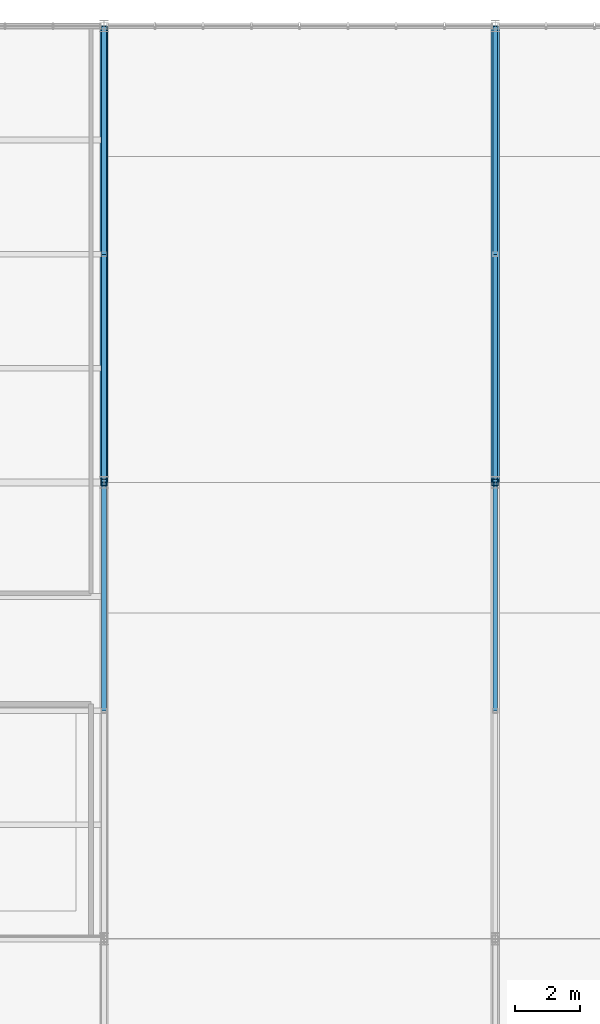
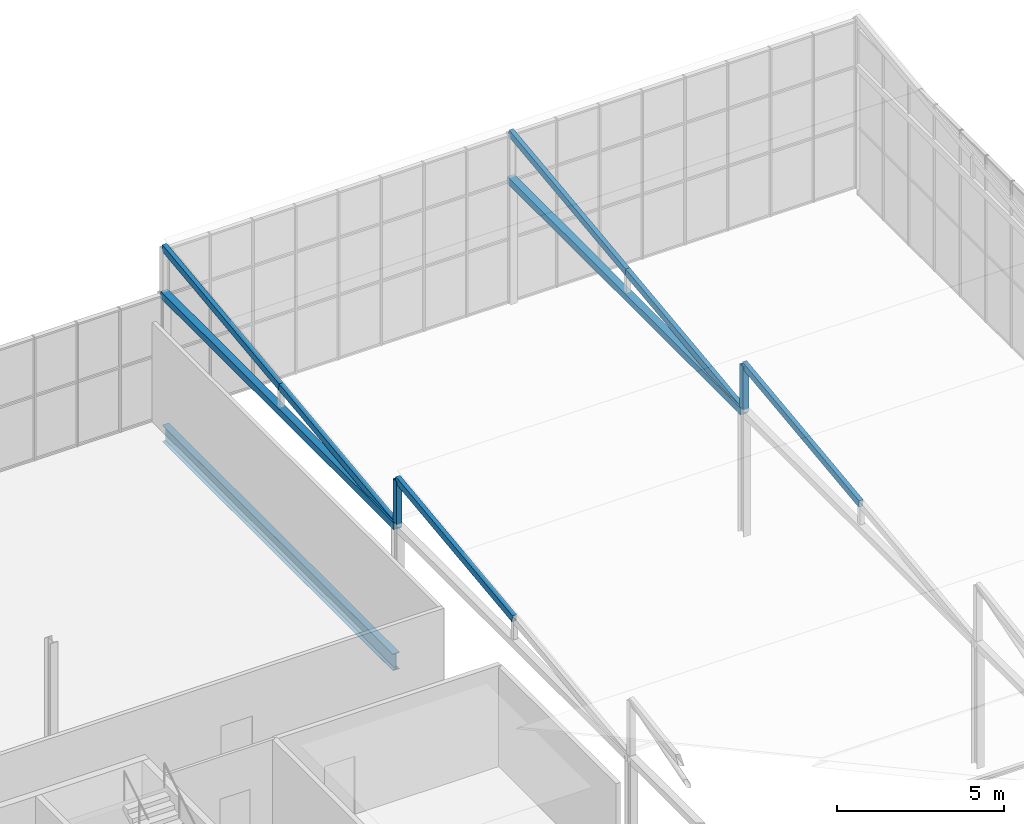
# One storey, part 71 of 104: 10 members, 1 beam.
"""IFC4 building model written with IfcOpenShell, lengths in metres."""

import ifcopenshell
import ifcopenshell.guid

model = None  # the IFC model being written
_history = None  # IfcOwnerHistory: only IFC2X3 demands one
_inside = {}  # id of a spatial element -> (the spatial element, [elements in it])
_under = {}  # id of a project, library or spatial element -> (it, [spatial elements below it])
_declared = {}  # id of a project -> (the project, [libraries it declares])
_typed = {}  # id of a type object -> (the type object, [elements of that type])
_made_of = {}  # id of a material, layer set ... -> (it, [elements and type objects made of it])


def new_model(schema):
    """Start an empty IFC model of exactly this schema.

    Asked for "IFC4X3", IfcOpenShell would pick the latest addendum, in which some entities
    have other attributes; the version numbers below select the first issue.
    IFC2X3 requires an IfcOwnerHistory on every rooted entity: one is made here for all.
    """
    global model, _history
    if schema == "IFC4X3":
        model = ifcopenshell.file(schema_version=(4, 3, 0, 0))
    else:
        model = ifcopenshell.file(schema=schema)
    _inside.clear()
    _under.clear()
    _declared.clear()
    _typed.clear()
    _made_of.clear()
    _history = None
    if model.schema == "IFC2X3":
        org = make("IfcOrganization", Name="unknown")
        user = make(
            "IfcPersonAndOrganization",
            ThePerson=make("IfcPerson", FamilyName="unknown"),
            TheOrganization=org,
        )
        app = make(
            "IfcApplication",
            ApplicationDeveloper=org,
            Version="unknown",
            ApplicationFullName="unknown",
            ApplicationIdentifier="unknown",
        )
        _history = make(
            "IfcOwnerHistory",
            OwningUser=user,
            OwningApplication=app,
            ChangeAction="ADDED",
            CreationDate=0,
        )
    return model


def make(cls, **values):
    """One entity of the class cls with the attributes given. An attribute that is None is left unset."""
    return model.create_entity(
        cls, **{name: value for name, value in values.items() if value is not None}
    )


def rooted(cls, **values):
    """An entity with a GlobalId (a new one), such as an element, a storey or a relation."""
    return make(cls, GlobalId=ifcopenshell.guid.new(), OwnerHistory=_history, **values)


def si_unit(unit_type, name, prefix=None):
    """IfcSIUnit, for example si_unit("LENGTHUNIT", "METRE", prefix="MILLI")."""
    return make("IfcSIUnit", UnitType=unit_type, Prefix=prefix, Name=name)


def assignment(units):
    """IfcUnitAssignment: the units of a project."""
    return None if units is None else make("IfcUnitAssignment", Units=units)


def point(xyz):
    """IfcCartesianPoint."""
    return None if xyz is None else make("IfcCartesianPoint", Coordinates=xyz)


def direction(xyz):
    """IfcDirection."""
    return None if xyz is None else make("IfcDirection", DirectionRatios=xyz)


def frame(location, z_axis=None, x_axis=None):
    """IfcAxis2Placement3D, a coordinate frame: its origin and axes. An axis left out is left unset."""
    return make(
        "IfcAxis2Placement3D",
        Location=point(location),
        Axis=direction(z_axis),
        RefDirection=direction(x_axis),
    )


def frame_2d(location, x_axis=None):
    """IfcAxis2Placement2D, a coordinate frame in the plane: its origin and x axis."""
    return make(
        "IfcAxis2Placement2D", Location=point(location), RefDirection=direction(x_axis)
    )


def origin():
    """The frame at (0, 0, 0) with its axes left unset."""
    return frame((0.0, 0.0, 0.0))


def origin_2d():
    """The frame at (0, 0) in the plane with its x axis left unset."""
    return frame_2d((0.0, 0.0))


def place(relative_to, where):
    """IfcLocalPlacement: puts the frame where relative to a parent placement (None: the world)."""
    return make(
        "IfcLocalPlacement", PlacementRelTo=relative_to, RelativePlacement=where
    )


def context(
    kind, dimensions, precision=None, world=None, true_north=None, identifier=None
):
    """IfcGeometricRepresentationContext, for example the 3D "Model" context."""
    return make(
        "IfcGeometricRepresentationContext",
        ContextIdentifier=identifier,
        ContextType=kind,
        CoordinateSpaceDimension=dimensions,
        Precision=precision,
        WorldCoordinateSystem=world,
        TrueNorth=true_north,
    )


def subcontext(parent, identifier, kind, view, scale=None):
    """IfcGeometricRepresentationSubContext, for example "Body" below "Model"."""
    return make(
        "IfcGeometricRepresentationSubContext",
        ContextIdentifier=identifier,
        ContextType=kind,
        ParentContext=parent,
        TargetScale=scale,
        TargetView=view,
    )


def project(units=None, contexts=None):
    """IfcProject with its units and contexts."""
    return rooted(
        "IfcProject",
        Name="project",
        RepresentationContexts=contexts,
        UnitsInContext=assignment(units),
    )


def spatial(cls, under=None, at=None, **own):
    """A site, building, storey or space (cls), placed at a placement, below another one or the project."""
    s = rooted(cls, ObjectPlacement=at, **own)
    if under is not None:
        _under.setdefault(under.id(), (under, []))[1].append(s)
    return s


def profile(cls, at=None, kind="AREA", **sizes):
    """A parametric profile (cls). Its sizes go by their IFC names, for example OverallWidth=200.0."""
    return make(cls, ProfileType=kind, Position=at, **sizes)


def hollow_rectangle(**sizes):
    """IfcRectangleHollowProfileDef."""
    return profile("IfcRectangleHollowProfileDef", **sizes)


def i_section(**sizes):
    """IfcIShapeProfileDef."""
    return profile("IfcIShapeProfileDef", **sizes)


def extrude(swept, where, along, depth):
    """IfcExtrudedAreaSolid: the profile swept, set in the frame where, extruded along a direction by depth."""
    return make(
        "IfcExtrudedAreaSolid",
        SweptArea=swept,
        Position=where,
        ExtrudedDirection=direction(along),
        Depth=depth,
    )


def shape(context_of_items, identifier, shape_type, items):
    """IfcShapeRepresentation: the items that make up one representation, for example the "Body"."""
    return make(
        "IfcShapeRepresentation",
        ContextOfItems=context_of_items,
        RepresentationIdentifier=identifier,
        RepresentationType=shape_type,
        Items=items,
    )


def material(Name=None, Category=None):
    """IfcMaterial."""
    return make("IfcMaterial", Name=Name, Category=Category)


def material_profile(
    of_material, cross_section, Name=None, Category=None, Priority=None
):
    """IfcMaterialProfile: a cross section and its material."""
    return make(
        "IfcMaterialProfile",
        Name=Name,
        Material=of_material,
        Profile=cross_section,
        Priority=Priority,
        Category=Category,
    )


def profile_set(profiles, Name=None, composite=None):
    """IfcMaterialProfileSet."""
    return make(
        "IfcMaterialProfileSet",
        Name=Name,
        MaterialProfiles=profiles,
        CompositeProfile=composite,
    )


def made_of(thing, what):
    """Note that an element or type object is made of a material, layer set ...; save() writes the relation."""
    if what is not None:
        _made_of.setdefault(what.id(), (what, []))[1].append(thing)
    return thing


def type_object(cls, material=None, **own):
    """A type object (cls), such as IfcWallType, which elements share."""
    return made_of(rooted(cls, **own), material)


def element(
    cls,
    number,
    at=None,
    inside=None,
    cuts=None,
    type_object=None,
    material=None,
    context=None,
    identifier="Body",
    shape_type=None,
    held_by="IfcProductDefinitionShape",
    body=None,
    shapes=None,
    **own,
):
    """One element of the class cls, such as IfcWall. Its Tag is "e" and its number.

    at: its placement. inside: the storey or other place that contains it. cuts: it is an
    opening in that element (IfcRelVoidsElement). A single representation is given by context,
    identifier, shape_type and body (its items); several are given by shapes. held_by: the class
    of the entity that holds the representations. save() writes the other relations.
    """
    e = rooted(cls, Tag="e%d" % number, ObjectPlacement=at, **own)
    if body is not None:
        shapes = [shape(context, identifier, shape_type, body)]
    if shapes is not None:
        e.Representation = make(held_by, Representations=shapes)
    if inside is not None:
        _inside.setdefault(inside.id(), (inside, []))[1].append(e)
    if cuts is not None:
        rooted(
            "IfcRelVoidsElement", RelatingBuildingElement=cuts, RelatedOpeningElement=e
        )
    if type_object is not None:
        _typed.setdefault(type_object.id(), (type_object, []))[1].append(e)
    return made_of(e, material)


def aggregate(whole, parts):
    """IfcRelAggregates: a whole, such as a stair, and the parts it consists of."""
    return rooted("IfcRelAggregates", RelatingObject=whole, RelatedObjects=parts)


def save(model, path):
    """Write the relations noted so far, then the file.

    IfcRelAggregates (storeys below a building ...), IfcRelContainedInSpatialStructure (elements
    in a storey), IfcRelDefinesByType, IfcRelAssociatesMaterial and IfcRelDeclares: one each for
    every whole, place, type object, material and project.
    """
    for whole, parts in _under.values():
        aggregate(whole, parts)
    for where, things in _inside.values():
        rooted(
            "IfcRelContainedInSpatialStructure",
            RelatedElements=things,
            RelatingStructure=where,
        )
    for kind, things in _typed.values():
        rooted("IfcRelDefinesByType", RelatedObjects=things, RelatingType=kind)
    for what, things in _made_of.values():
        rooted("IfcRelAssociatesMaterial", RelatedObjects=things, RelatingMaterial=what)
    for by, libraries in _declared.values():
        rooted("IfcRelDeclares", RelatingContext=by, RelatedDefinitions=libraries)
    model.write(path)


model = new_model("IFC4")

# Units and contexts
model_context = context("Model", 3, precision=1e-05, world=origin(), true_north=direction((0.0, 1.0)))
body_context = subcontext(model_context, "Body", "Model", "MODEL_VIEW")
ifc_project = project(units=[si_unit("LENGTHUNIT", "METRE"), si_unit("AREAUNIT", "SQUARE_METRE"), si_unit("VOLUMEUNIT", "CUBIC_METRE"), si_unit("PLANEANGLEUNIT", "RADIAN"), si_unit("MASSUNIT", "GRAM", prefix="KILO")], contexts=[model_context])

# Site, building, storey
site_placement = place(None, origin())
site = spatial("IfcSite", under=ifc_project, at=site_placement, CompositionType="ELEMENT")
building_placement = place(site_placement, origin())
building = spatial("IfcBuilding", under=site, at=building_placement, Name="Solvenia Promenade Tram Depot", CompositionType="ELEMENT")
storey_placement = place(building_placement, frame((0.0, 0.0, 9.0)))
storey = spatial("IfcBuildingStorey", under=building, at=storey_placement, Name="L02", CompositionType="ELEMENT", Elevation=9.0)

# Members
ifc_material_1 = material(Name="Structural steel ASTM A500 Gr. C", Category="steel")
ifc_material_profile_1 = material_profile(ifc_material_1, hollow_rectangle(XDim=0.14990234375, YDim=0.25, WallThickness=0.010009765625, at=origin_2d()), Name="HSS250x150x10", Category="steel")
ifc_profile_set_1 = profile_set([ifc_material_profile_1], Name="Structural steel ASTM A500 Gr. C")
member_type_1 = type_object("IfcMemberType", Name="Chord-HSS250x150x10", PredefinedType="CHORD", material=ifc_profile_set_1)
for number, where, z_axis, x_axis, name in (
    (1, (162.0, 45.0, 5.330078125), (0.0, 0.992710577163, 0.120522653429), (-1.0, 0.0, 0.0), "Workshop Sawtooth Rafter 1-08N"),
    (2, (162.0, 52.0, 4.47998046875), (0.0, 0.992706434156, 0.120556773289), (-1.0, 0.0, 0.0), "Workshop Sawtooth Rafter 2-08S"),
    (3, (162.0, 59.0, 5.330078125), (0.0, 0.992710577163, 0.120522653429), (-1.0, 0.0, 0.0), "Workshop Sawtooth Rafter 2-08N"),
    (4, (174.0, 45.0, 5.330078125), (0.0, 0.992710577163, 0.120522653429), (-1.0, 0.0, 0.0), "Workshop Sawtooth Rafter 1-09N"),
    (5, (174.0, 52.0, 4.47998046875), (0.0, 0.992706434156, 0.120556773289), (-1.0, 0.0, 0.0), "Workshop Sawtooth Rafter 2-09S"),
    (6, (174.0, 59.0, 5.330078125), (0.0, 0.992710577163, 0.120522653429), (-1.0, 0.0, 0.0), "Workshop Sawtooth Rafter 2-09N"),
):
    element("IfcMember", number, at=place(storey_placement, frame(where, z_axis=z_axis, x_axis=x_axis)), inside=storey, type_object=member_type_1, Name=name, PredefinedType="CHORD", context=body_context, shape_type="SweptSolid", body=[
        extrude(hollow_rectangle(XDim=0.14990234375, YDim=0.25, WallThickness=0.010009765625, at=origin_2d()), origin(), (0.0, 0.0, 1.0), 7.051513671875),
    ])
ifc_material_profile_2 = material_profile(ifc_material_1, hollow_rectangle(XDim=0.25, YDim=0.25, WallThickness=0.010009765625, at=origin_2d()), Name="HSS250x250x10", Category="steel")
ifc_profile_set_2 = profile_set([ifc_material_profile_2], Name="Structural steel ASTM A500 Gr. C")
member_type_2 = type_object("IfcMemberType", Name="Chord-HSS250x250x10", PredefinedType="CHORD", material=ifc_profile_set_2)
for number, where, z_axis, x_axis, name in (
    (7, (162.0, 52.0, 4.47998046875), (0.0, 1.0, 0.0), (-1.0, 0.0, 0.0), "Workshop Sawtooth Bottom Tie 2-08"),
    (8, (174.0, 52.0, 4.47998046875), (0.0, 1.0, 0.0), (-1.0, 0.0, 0.0), "Workshop Sawtooth Bottom Tie 2-09"),
):
    element("IfcMember", number, at=place(storey_placement, frame(where, z_axis=z_axis, x_axis=x_axis)), inside=storey, type_object=member_type_2, Name=name, PredefinedType="CHORD", context=body_context, shape_type="SweptSolid", body=[
        extrude(hollow_rectangle(XDim=0.25, YDim=0.25, WallThickness=0.010009765625, at=origin_2d()), origin(), (0.0, 0.0, 1.0), 14.0),
    ])

# Beam
ifc_material_2 = material(Name="Structural steel ASTM A992 Gr. 50", Category="steel")
ifc_material_profile_3 = material_profile(ifc_material_2, i_section(OverallWidth=0.22900390625, OverallDepth=0.612060546875, WebThickness=0.011962890625, FlangeThickness=0.01953125, FilletRadius=0.014892578125, at=origin_2d()), Name="W610x125", Category="steel")
ifc_profile_set_3 = profile_set([ifc_material_profile_3], Name="Structural steel ASTM A992 Gr. 50")
beam_type = type_object("IfcBeamType", Name="Gird-W610x125", PredefinedType="BEAM", material=ifc_profile_set_3)
beam_placement = place(storey_placement, frame((162.0, 52.0849609375, -0.5458984375), z_axis=(0.0, 1.0, 0.0), x_axis=(-1.0, 0.0, 0.0)))
element("IfcBeam", 9, at=beam_placement, inside=storey, type_object=beam_type, Name="Transverse Girder BM-L02-0484", PredefinedType="BEAM", context=body_context, shape_type="SweptSolid", body=[
    extrude(i_section(OverallWidth=0.22900390625, OverallDepth=0.612060546875, WebThickness=0.011962890625, FlangeThickness=0.01953125, FilletRadius=0.014892578125, at=origin_2d()), origin(), (0.0, 0.0, 1.0), 13.830078125),
])

# Members
ifc_material_profile_4 = material_profile(ifc_material_1, hollow_rectangle(XDim=0.199951171875, YDim=0.199951171875, WallThickness=0.010009765625, at=origin_2d()), Name="HSS200x200x10", Category="steel")
ifc_profile_set_4 = profile_set([ifc_material_profile_4], Name="Structural steel ASTM A500 Gr. C")
member_type_3 = type_object("IfcMemberType", Name="Post-HSS200x200x10", PredefinedType="POST", material=ifc_profile_set_4)
for number, where, z_axis, x_axis, name in (
    (10, (162.0, 52.0, 4.47998046875), (0.0, 0.0, 1.0), (1.0, 0.0, 0.0), "Workshop Sawtooth Post 1-08"),
    (11, (174.0, 52.0, 4.47998046875), (0.0, 0.0, 1.0), (1.0, 0.0, 0.0), "Workshop Sawtooth Post 1-09"),
):
    element("IfcMember", number, at=place(storey_placement, frame(where, z_axis=z_axis, x_axis=x_axis)), inside=storey, type_object=member_type_3, Name=name, PredefinedType="POST", context=body_context, shape_type="SweptSolid", body=[
        extrude(hollow_rectangle(XDim=0.199951171875, YDim=0.199951171875, WallThickness=0.010009765625, at=origin_2d()), origin(), (0.0, 0.0, 1.0), 1.699951171875),
    ])

save(model, "model.ifc")
